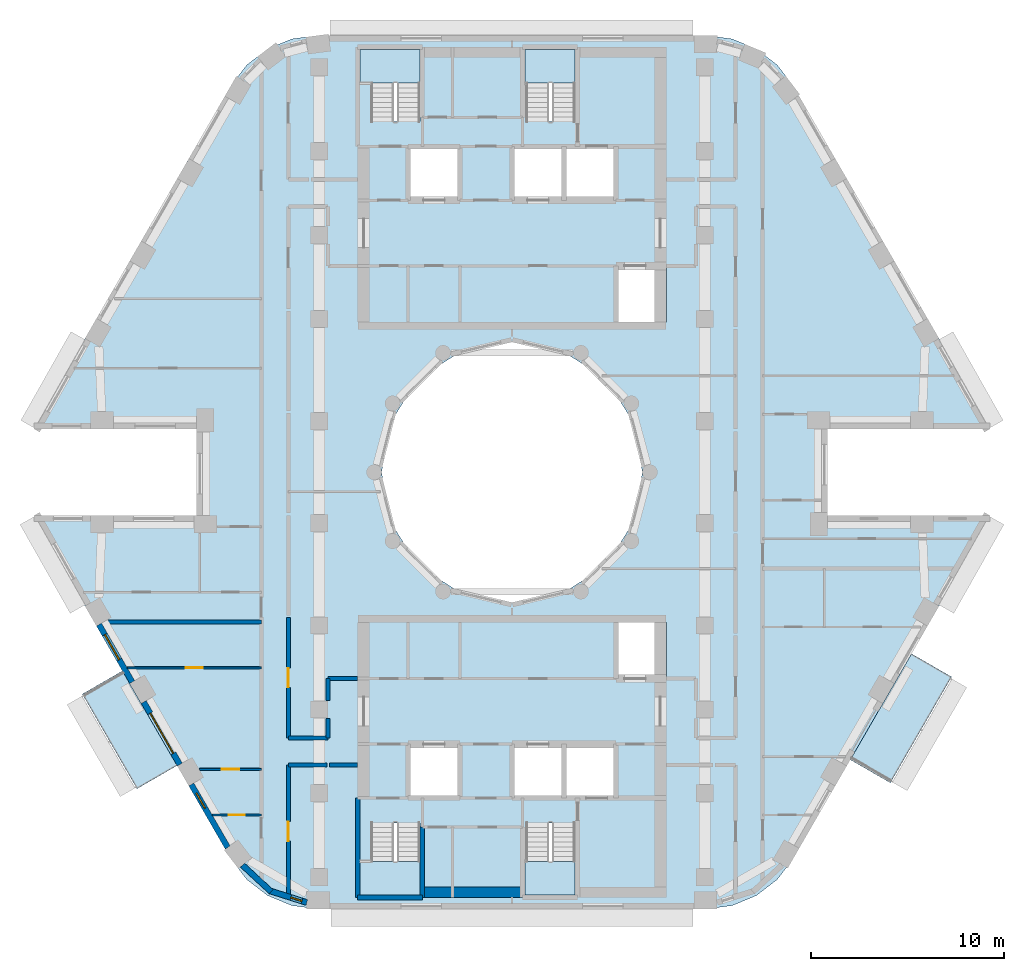
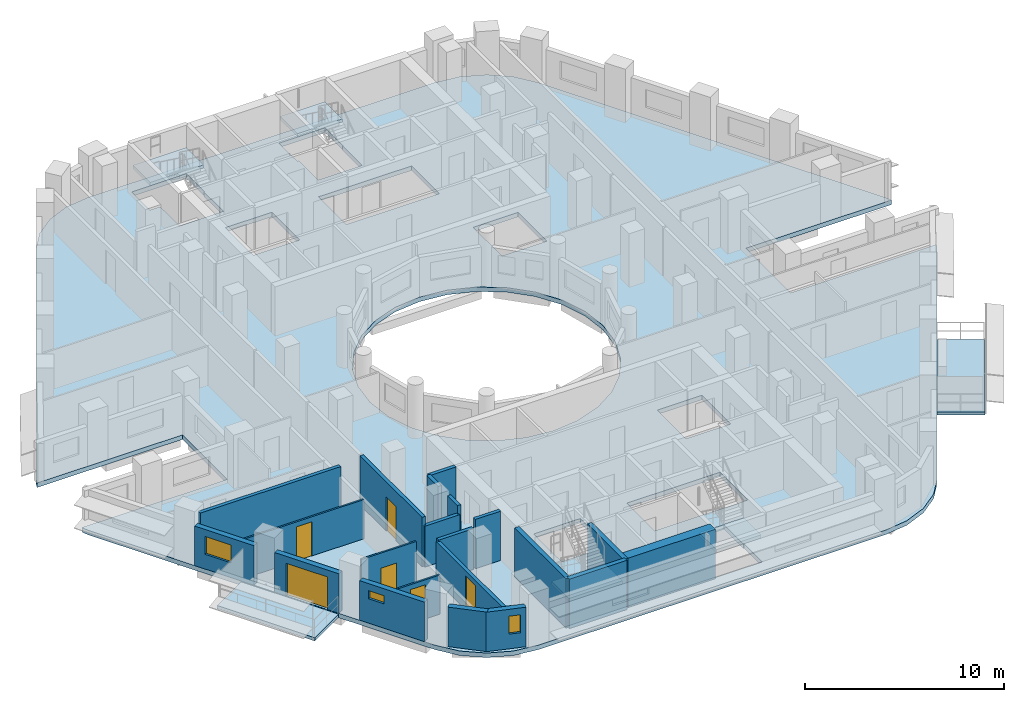
# One storey, part 2 of 15: 21 walls, 7 slabs, 6 doors, 3 windows, 9 openings, 4 elements without a shape of their own.
"""IFC4 building model written with IfcOpenShell, lengths in metres."""

from ifc_helpers import new_model, si_unit, direction, frame, frame_2d, origin, place, context, subcontext, project, spatial, polyline, rectangle, outline, extrude, material, layer, layer_set, type_object, element, fill, aggregate, save


model = new_model("IFC4")

# Units and contexts
model_context = context("Model", 3, precision=1e-05, world=origin(), true_north=direction((0.0, 1.0)))
body_context = subcontext(model_context, "Body", "Model", "MODEL_VIEW")
ifc_project = project(units=[si_unit("LENGTHUNIT", "METRE"), si_unit("AREAUNIT", "SQUARE_METRE"), si_unit("VOLUMEUNIT", "CUBIC_METRE"), si_unit("PLANEANGLEUNIT", "RADIAN"), si_unit("MASSUNIT", "GRAM", prefix="KILO")], contexts=[model_context])

# Site, building, storey
site_placement = place(None, origin())
site = spatial("IfcSite", under=ifc_project, at=site_placement, CompositionType="ELEMENT")
building_placement = place(site_placement, origin())
building = spatial("IfcBuilding", under=site, at=building_placement, Name="Nakaniwa Court", CompositionType="ELEMENT")
storey_placement = place(building_placement, frame((0.0, 0.0, 186.60009765625)))
storey = spatial("IfcBuildingStorey", under=building, at=storey_placement, Name="L48", CompositionType="ELEMENT", Elevation=186.60009765625)

# Slabs
ifc_material_1 = material(Name="Charcoal ceramic paver")
ifc_layer_1 = layer(ifc_material_1, 0.02, Name="Ceramic paver")
ifc_material_2 = material(Name="Cement sand screed")
ifc_layer_2 = layer(ifc_material_2, 0.03, Name="Falls screed")
ifc_material_3 = material(Name="Concrete C40/50", Category="concrete")
ifc_layer_3 = layer(ifc_material_3, 0.15, Name="Balcony slab")
ifc_layer_set_1 = layer_set([ifc_layer_1, ifc_layer_2, ifc_layer_3], Name="Concrete C40/50 balcony slab with ceramic paver finish")
slab_type_1 = type_object("IfcSlabType", Name="Balcony slab 200", PredefinedType="FLOOR", material=ifc_layer_set_1)
slab_1_placement = place(storey_placement, frame((0.0, 0.0, -0.25)))
element("IfcSlab", 1, at=slab_1_placement, inside=storey, type_object=slab_type_1, Name="L48 balcony 01", PredefinedType="FLOOR", context=body_context, shape_type="SweptSolid", body=[
    extrude(outline(polyline([(59.794677734375, 69.696533203125), (62.629150390625, 64.787353515625), (60.55078125, 63.58740234375), (57.71630859375, 68.49658203125), (59.794677734375, 69.696533203125)])), origin(), (0.0, 0.0, 1.0), 0.199951171875),
])
slab_2_placement = place(storey_placement, frame((0.0, 0.0, -0.25)))
element("IfcSlab", 2, at=slab_2_placement, inside=storey, type_object=slab_type_1, Name="L48 balcony 02", PredefinedType="FLOOR", context=body_context, shape_type="SweptSolid", body=[
    extrude(outline(polyline([(97.546142578125, 65.0908203125), (100.71923828125, 70.58642578125), (102.797607421875, 69.386474609375), (99.62451171875, 63.890625), (97.546142578125, 65.0908203125)])), origin(), (0.0, 0.0, 1.0), 0.199951171875),
])
ifc_material_4 = material(Name="Concrete C80/100", Category="concrete")
ifc_layer_4 = layer(ifc_material_4, 0.27490234375)
ifc_layer_set_2 = layer_set([ifc_layer_4], Name="Concrete C80/100")
slab_type_2 = type_object("IfcSlabType", Name="Concrete C80/100 post tensioned floor slab 275", PredefinedType="FLOOR", material=ifc_layer_set_2)
slab_3_placement = place(storey_placement, frame((0.0, 0.0, -0.275146484375)))
element("IfcSlab", 3, at=slab_3_placement, inside=storey, type_object=slab_type_2, Name="FLOOR SLAB", PredefinedType="FLOOR", context=body_context, shape_type="SweptSolid", body=[
    extrude(outline(polyline([(96.349609375, 82.25), (104.7978515625, 82.25), (104.65283203125, 82.60009765625), (94.578125, 100.050048828125), (93.751708984375, 101.126953125), (92.6748046875, 101.953369140625), (91.420654296875, 102.472900390625), (90.07470703125, 102.64990234375), (69.92529296875, 102.64990234375), (68.579345703125, 102.472900390625), (67.3251953125, 101.953369140625), (66.248291015625, 101.126953125), (65.421875, 100.050048828125), (55.34716796875, 82.60009765625), (55.2021484375, 82.25), (63.650390625, 82.25), (63.650390625, 77.75), (55.2021484375, 77.75), (55.34716796875, 77.39990234375), (65.421875, 59.949951171875), (66.248291015625, 58.873046875), (67.3251953125, 58.046630859375), (68.579345703125, 57.527099609375), (69.92529296875, 57.35009765625), (90.07470703125, 57.35009765625), (91.420654296875, 57.527099609375), (92.6748046875, 58.046630859375), (93.751708984375, 58.873046875), (94.578125, 59.949951171875), (104.65283203125, 77.39990234375), (104.7978515625, 77.75), (96.349609375, 77.75), (96.349609375, 82.25)]), holes=[polyline([(81.501953125, 86.580810546875), (80.0, 86.75), (78.498046875, 86.580810546875), (77.0712890625, 86.08154296875), (75.79150390625, 85.27734375), (74.72265625, 84.20849609375), (73.91845703125, 82.9287109375), (73.419189453125, 81.501953125), (73.25, 80.0), (73.419189453125, 78.498046875), (73.91845703125, 77.0712890625), (74.72265625, 75.79150390625), (75.79150390625, 74.72265625), (77.0712890625, 73.91845703125), (78.498046875, 73.419189453125), (80.0, 73.25), (81.501953125, 73.419189453125), (82.9287109375, 73.91845703125), (84.20849609375, 74.72265625), (85.27734375, 75.79150390625), (86.08154296875, 77.0712890625), (86.580810546875, 78.498046875), (86.75, 80.0), (86.580810546875, 81.501953125), (86.08154296875, 82.9287109375), (85.27734375, 84.20849609375), (84.20849609375, 85.27734375), (82.9287109375, 86.08154296875), (81.501953125, 86.580810546875)]), polyline([(72.675048828125, 61.81005859375), (72.675048828125, 59.864990234375), (72.0849609375, 59.864990234375), (72.0849609375, 58.034912109375), (75.264892578125, 58.034912109375), (75.264892578125, 59.864990234375), (75.22509765625, 59.864990234375), (75.22509765625, 61.81005859375), (72.675048828125, 61.81005859375)]), polyline([(77.300048828125, 65.89990234375), (74.60009765625, 65.89990234375), (74.60009765625, 63.10009765625), (77.300048828125, 63.10009765625), (77.300048828125, 65.89990234375)]), polyline([(80.0, 65.89990234375), (80.0, 63.10009765625), (82.699951171875, 63.10009765625), (85.39990234375, 63.10009765625), (85.39990234375, 65.89990234375), (82.699951171875, 65.89990234375), (80.0, 65.89990234375)]), polyline([(77.300048828125, 96.89990234375), (74.60009765625, 96.89990234375), (74.60009765625, 94.10009765625), (77.300048828125, 94.10009765625), (77.300048828125, 96.89990234375)]), polyline([(80.0, 96.89990234375), (80.0, 94.10009765625), (82.699951171875, 94.10009765625), (85.39990234375, 94.10009765625), (85.39990234375, 96.89990234375), (82.699951171875, 96.89990234375), (80.0, 96.89990234375)]), polyline([(75.264892578125, 100.135009765625), (75.264892578125, 101.965087890625), (72.0849609375, 101.965087890625), (72.0849609375, 100.135009765625), (72.675048828125, 100.135009765625), (72.675048828125, 98.18994140625), (75.22509765625, 98.18994140625), (75.22509765625, 100.135009765625), (75.264892578125, 100.135009765625)]), polyline([(83.27490234375, 61.81005859375), (80.72509765625, 61.81005859375), (80.72509765625, 59.864990234375), (80.635009765625, 59.864990234375), (80.635009765625, 58.034912109375), (83.31494140625, 58.034912109375), (83.31494140625, 59.864990234375), (83.27490234375, 59.864990234375), (83.27490234375, 61.81005859375)]), polyline([(88.0, 72.199951171875), (85.39990234375, 72.199951171875), (85.39990234375, 69.300048828125), (88.0, 69.300048828125), (88.0, 72.199951171875)]), polyline([(88.0, 90.699951171875), (85.39990234375, 90.699951171875), (85.39990234375, 87.800048828125), (88.0, 87.800048828125), (88.0, 90.699951171875)]), polyline([(83.31494140625, 100.135009765625), (83.31494140625, 101.965087890625), (80.635009765625, 101.965087890625), (80.635009765625, 100.135009765625), (80.72509765625, 100.135009765625), (80.72509765625, 98.18994140625), (83.27490234375, 98.18994140625), (83.27490234375, 100.135009765625), (83.31494140625, 100.135009765625)])]), origin(), (0.0, 0.0, 1.0), 0.275146484375),
])

# Stair, slab
stair_type = type_object("IfcStairType", Name="Dog leg stair 1200 wide 18 risers", PredefinedType="HALF_TURN_STAIR", material=ifc_material_4)
stair_1_placement = place(storey_placement, origin())
stair_1 = element("IfcStair", 4, at=stair_1_placement, inside=storey, type_object=stair_type, Name="L48 Stair ST1", PredefinedType="HALF_TURN_STAIR")
ifc_layer_5 = layer(ifc_material_4, 0.199951171875)
ifc_layer_set_3 = layer_set([ifc_layer_5], Name="Concrete C80/100")
slab_type_3 = type_object("IfcSlabType", Name="Stair landing concrete", PredefinedType="LANDING", material=ifc_layer_set_3)
slab_4_placement = place(storey_placement, frame((0.0, 0.0, 1.449951171875)))
slab_4 = element("IfcSlab", 5, at=slab_4_placement, type_object=slab_type_3, Name="ST1 landing 1", PredefinedType="LANDING", context=body_context, shape_type="SweptSolid", body=[
    extrude(outline(polyline([(75.22509765625, 100.175048828125), (75.22509765625, 101.925048828125), (72.125, 101.925048828125), (72.125, 100.175048828125), (75.22509765625, 100.175048828125)])), origin(), (0.0, 0.0, 1.0), 0.199951171875),
])
aggregate(stair_1, [slab_4])

stair_2_placement = place(storey_placement, origin())
stair_2 = element("IfcStair", 6, at=stair_2_placement, inside=storey, type_object=stair_type, Name="L48 Stair ST2", PredefinedType="HALF_TURN_STAIR")
slab_5_placement = place(storey_placement, frame((0.0, 0.0, 1.449951171875)))
slab_5 = element("IfcSlab", 7, at=slab_5_placement, type_object=slab_type_3, Name="ST2 landing 1", PredefinedType="LANDING", context=body_context, shape_type="SweptSolid", body=[
    extrude(outline(polyline([(83.27490234375, 100.175048828125), (83.27490234375, 101.925048828125), (80.675048828125, 101.925048828125), (80.675048828125, 100.175048828125), (83.27490234375, 100.175048828125)])), origin(), (0.0, 0.0, 1.0), 0.199951171875),
])
aggregate(stair_2, [slab_5])

stair_3_placement = place(storey_placement, origin())
stair_3 = element("IfcStair", 8, at=stair_3_placement, inside=storey, type_object=stair_type, Name="L48 Stair ST3", PredefinedType="HALF_TURN_STAIR")
slab_6_placement = place(storey_placement, frame((0.0, 0.0, 1.449951171875)))
slab_6 = element("IfcSlab", 9, at=slab_6_placement, type_object=slab_type_3, Name="ST3 landing 1", PredefinedType="LANDING", context=body_context, shape_type="SweptSolid", body=[
    extrude(outline(polyline([(75.22509765625, 58.074951171875), (75.22509765625, 59.824951171875), (72.125, 59.824951171875), (72.125, 58.074951171875), (75.22509765625, 58.074951171875)])), origin(), (0.0, 0.0, 1.0), 0.199951171875),
])
aggregate(stair_3, [slab_6])

stair_4_placement = place(storey_placement, origin())
stair_4 = element("IfcStair", 10, at=stair_4_placement, inside=storey, type_object=stair_type, Name="L48 Stair ST4", PredefinedType="HALF_TURN_STAIR")
slab_7_placement = place(storey_placement, frame((0.0, 0.0, 1.449951171875)))
slab_7 = element("IfcSlab", 11, at=slab_7_placement, type_object=slab_type_3, Name="ST4 landing 1", PredefinedType="LANDING", context=body_context, shape_type="SweptSolid", body=[
    extrude(outline(polyline([(83.27490234375, 58.074951171875), (83.27490234375, 59.824951171875), (80.675048828125, 59.824951171875), (80.675048828125, 58.074951171875), (83.27490234375, 58.074951171875)])), origin(), (0.0, 0.0, 1.0), 0.199951171875),
])
aggregate(stair_4, [slab_7])

# Walls
ifc_material_5 = material(Name="Acoustic double stud partition")
ifc_layer_6 = layer(ifc_material_5, 0.199951171875)
ifc_layer_set_4 = layer_set([ifc_layer_6], Name="Acoustic double stud partition")
wall_type_1 = type_object("IfcWallType", Name="Acoustic double stud partition 200", PredefinedType="PARTITIONING", material=ifc_layer_set_4)
wall_1_placement = place(storey_placement, frame((68.39990234375, 64.824951171875, 0.0), z_axis=(0.0, 0.0, 1.0), x_axis=(1.0, 0.0, 0.0)))
element("IfcWall", 12, at=wall_1_placement, inside=storey, type_object=wall_type_1, Name="Partition PW-074", PredefinedType="PARTITIONING", context=body_context, shape_type="SweptSolid", body=[
    extrude(rectangle(XDim=2.012939453125, YDim=0.199951171875, at=frame_2d((1.00634765625, 0.0))), origin(), (0.0, 0.0, 1.0), 2.5048828125),
])
wall_2_placement = place(storey_placement, frame((70.527099609375, 64.824951171875, 0.0), z_axis=(0.0, 0.0, 1.0), x_axis=(1.0, 0.0, 0.0)))
element("IfcWall", 13, at=wall_2_placement, inside=storey, type_object=wall_type_1, Name="Partition PW-075", PredefinedType="PARTITIONING", context=body_context, shape_type="SweptSolid", body=[
    extrude(rectangle(XDim=1.472900390625, YDim=0.199951171875, at=frame_2d((0.736328125, 0.0))), origin(), (0.0, 0.0, 1.0), 3.02490234375),
])
wall_3_placement = place(storey_placement, frame((70.449951171875, 69.300048828125, 0.0), z_axis=(0.0, 0.0, 1.0), x_axis=(1.0, 0.0, 0.0)))
element("IfcWall", 14, at=wall_3_placement, inside=storey, type_object=wall_type_1, Name="Partition PW-079", PredefinedType="PARTITIONING", context=body_context, shape_type="SweptSolid", body=[
    extrude(rectangle(XDim=1.550048828125, YDim=0.199951171875, at=frame_2d((0.77490234375, 0.0))), origin(), (0.0, 0.0, 1.0), 3.02490234375),
])
wall_4_placement = place(storey_placement, frame((68.39990234375, 66.22509765625, 0.0), z_axis=(0.0, 0.0, 1.0), x_axis=(1.0, 0.0, 0.0)))
element("IfcWall", 15, at=wall_4_placement, inside=storey, type_object=wall_type_1, Name="Partition PW-085", PredefinedType="PARTITIONING", context=body_context, shape_type="SweptSolid", body=[
    extrude(rectangle(XDim=2.050048828125, YDim=0.199951171875, at=frame_2d((1.02490234375, 0.0))), origin(), (0.0, 0.0, 1.0), 2.5048828125),
])

# Wall, opening, door
wall_5_placement = place(storey_placement, frame((68.39990234375, 64.824951171875, 0.0), z_axis=(0.0, 0.0, 1.0), x_axis=(0.0, -1.0, 0.0)))
wall_5 = element("IfcWall", 16, at=wall_5_placement, inside=storey, type_object=wall_type_1, Name="Partition PW-095", PredefinedType="PARTITIONING", context=body_context, shape_type="SweptSolid", body=[
    extrude(rectangle(XDim=6.898681640625, YDim=0.199951171875, at=frame_2d((3.44921875, 0.0))), origin(), (0.0, 0.0, 1.0), 2.40478515625),
])
opening_1_placement = place(wall_5_placement, frame((2.949951171875, 0.0, 0.0)))
opening_1 = element("IfcOpeningElement", 17, at=opening_1_placement, cuts=wall_5, Name="Opening D-02-05", PredefinedType="OPENING", context=body_context, shape_type="SweptSolid", body=[
    extrude(rectangle(XDim=1.0, YDim=2.10009765625, at=frame_2d((0.5, 1.050048828125))), frame((0.0, 0.10986328125, 0.0), z_axis=(0.0, -1.0, 0.0), x_axis=(1.0, 0.0, 0.0)), (0.0, 0.0, 1.0), 0.219970703125),
])
ifc_material_6 = material(Name="Solid core timber door set, black veneer", Category="wood")
door_type_1 = type_object("IfcDoorType", Name="Internal door 1000", OperationType="NOTDEFINED", PredefinedType="DOOR", material=ifc_material_6)
door_1_placement = place(opening_1_placement, origin())
door_1 = element("IfcDoor", 18, at=door_1_placement, inside=storey, type_object=door_type_1, Name="Door D-02-05 L48-036", OperationType="SINGLE_SWING_LEFT", OverallHeight=2.10009765625, OverallWidth=1.0, PredefinedType="DOOR", context=body_context, shape_type="SweptSolid", body=[
    extrude(rectangle(XDim=1.0, YDim=2.10009765625, at=frame_2d((0.5, 1.050048828125))), frame((0.0, 0.02490234375, 0.0), z_axis=(0.0, -1.0, 0.0), x_axis=(1.0, 0.0, 0.0)), (0.0, 0.0, 1.0), 0.050048828125),
])
fill(opening_1, door_1)

wall_6_placement = place(storey_placement, frame((68.39990234375, 72.462890625, 0.0), z_axis=(0.0, 0.0, 1.0), x_axis=(0.0, -1.0, 0.0)))
wall_6 = element("IfcWall", 19, at=wall_6_placement, inside=storey, type_object=wall_type_1, Name="Partition PW-096", PredefinedType="PARTITIONING", context=body_context, shape_type="SweptSolid", body=[
    extrude(rectangle(XDim=6.23779296875, YDim=0.199951171875, at=frame_2d((3.118896484375, 0.0))), origin(), (0.0, 0.0, 1.0), 3.02490234375),
])
opening_2_placement = place(wall_6_placement, frame((2.6201171875, 0.0, 0.0)))
opening_2 = element("IfcOpeningElement", 20, at=opening_2_placement, cuts=wall_6, Name="Opening D-02-06", PredefinedType="OPENING", context=body_context, shape_type="SweptSolid", body=[
    extrude(rectangle(XDim=1.0, YDim=2.10009765625, at=frame_2d((0.5, 1.050048828125))), frame((0.0, 0.10986328125, 0.0), z_axis=(0.0, -1.0, 0.0), x_axis=(1.0, 0.0, 0.0)), (0.0, 0.0, 1.0), 0.219970703125),
])
door_2_placement = place(opening_2_placement, origin())
door_2 = element("IfcDoor", 21, at=door_2_placement, inside=storey, type_object=door_type_1, Name="Door D-02-06 L48-041", OperationType="SINGLE_SWING_RIGHT", OverallHeight=2.10009765625, OverallWidth=1.0, PredefinedType="DOOR", context=body_context, shape_type="SweptSolid", body=[
    extrude(rectangle(XDim=1.0, YDim=2.10009765625, at=frame_2d((0.5, 1.050048828125))), frame((0.0, 0.02490234375, 0.0), z_axis=(0.0, -1.0, 0.0), x_axis=(1.0, 0.0, 0.0)), (0.0, 0.0, 1.0), 0.050048828125),
])
fill(opening_2, door_2)

# Walls
wall_7_placement = place(storey_placement, frame((70.449951171875, 66.22509765625, 0.0), z_axis=(0.0, 0.0, 1.0), x_axis=(0.0, 1.0, 0.0)))
element("IfcWall", 22, at=wall_7_placement, inside=storey, type_object=wall_type_1, Name="Partition PW-103", PredefinedType="PARTITIONING", context=body_context, shape_type="SweptSolid", body=[
    extrude(rectangle(XDim=1.0078125, YDim=0.199951171875, at=frame_2d((0.50390625, 0.0))), origin(), (0.0, 0.0, 1.0), 3.02490234375),
])
wall_8_placement = place(storey_placement, frame((70.449951171875, 68.167236328125, 0.0), z_axis=(0.0, 0.0, 1.0), x_axis=(0.0, 1.0, 0.0)))
element("IfcWall", 23, at=wall_8_placement, inside=storey, type_object=wall_type_1, Name="Partition PW-104", PredefinedType="PARTITIONING", context=body_context, shape_type="SweptSolid", body=[
    extrude(rectangle(XDim=1.1328125, YDim=0.199951171875, at=frame_2d((0.56640625, 0.0))), origin(), (0.0, 0.0, 1.0), 3.02490234375),
])
wall_9_placement = place(storey_placement, frame((58.8408203125, 72.22509765625, 0.0), z_axis=(0.0, 0.0, 1.0), x_axis=(1.0, 0.0, 0.0)))
element("IfcWall", 24, at=wall_9_placement, inside=storey, type_object=wall_type_1, Name="Partition PW-125", PredefinedType="PARTITIONING", context=body_context, shape_type="SweptSolid", body=[
    extrude(rectangle(XDim=8.158203125, YDim=0.199951171875, at=frame_2d((4.0791015625, 0.0))), origin(), (0.0, 0.0, 1.0), 3.02490234375),
])

# Wall, opening, window
ifc_material_7 = material(Name="Charcoal ceramic cladding")
ifc_layer_7 = layer(ifc_material_7, 0.02, Name="Ceramic cladding")
ifc_material_8 = material(Name="Ventilated air cavity")
ifc_layer_8 = layer(ifc_material_8, 0.04, ventilated=True, Name="Ventilated cavity")
ifc_material_9 = material(Name="Mineral wool insulation")
ifc_layer_9 = layer(ifc_material_9, 0.1, Name="Insulation")
ifc_material_10 = material(Name="Cement bonded sheathing board")
ifc_layer_10 = layer(ifc_material_10, 0.012, Name="Sheathing")
ifc_material_11 = material(Name="Cold-formed galvanised stud frame with mineral wool infill")
ifc_layer_11 = layer(ifc_material_11, 0.1, Name="Stud frame")
ifc_material_12 = material(Name="Fire-rated gypsum plasterboard lining")
ifc_layer_12 = layer(ifc_material_12, 0.028, Name="Lining")
ifc_layer_set_5 = layer_set([ifc_layer_7, ifc_layer_8, ifc_layer_9, ifc_layer_10, ifc_layer_11, ifc_layer_12], Name="Charcoal ceramic faced external wall system")
wall_type_2 = type_object("IfcWallType", Name="Black ceramic faced external wall 300", PredefinedType="SOLIDWALL", material=ifc_layer_set_5)
wall_10_placement = place(storey_placement, frame((58.579345703125, 72.101806640625, 0.0), z_axis=(0.0, 0.0, 1.0), x_axis=(0.499955427682, -0.866051136095, 0.0)))
wall_10 = element("IfcWall", 25, at=wall_10_placement, inside=storey, type_object=wall_type_2, Name="L48 external wall 21", PredefinedType="SOLIDWALL", context=body_context, shape_type="SweptSolid", body=[
    extrude(rectangle(XDim=3.447021484375, YDim=0.300048828125, at=frame_2d((1.7236328125, 0.0))), origin(), (0.0, 0.0, 1.0), 2.4248046875),
])
opening_3_placement = place(wall_10_placement, frame((0.607421875, 0.0, 0.89990234375)))
opening_3 = element("IfcOpeningElement", 26, at=opening_3_placement, cuts=wall_10, Name="Opening W5.24", PredefinedType="OPENING", context=body_context, shape_type="SweptSolid", body=[
    extrude(rectangle(XDim=1.5, YDim=1.10009765625, at=frame_2d((0.75, 0.550048828125))), frame((0.0, 0.159912109375, 0.0), z_axis=(0.0, -1.0, 0.0), x_axis=(1.0, 0.0, 0.0)), (0.0, 0.0, 1.0), 0.320068359375),
])
ifc_material_13 = material(Name="Black anodised aluminium frame with dark low-E laminated double glazing", Category="aluminium")
window_type_1 = type_object("IfcWindowType", Name="Dark glass window 1500x1100 sill 900", PartitioningType="SINGLE_PANEL", PredefinedType="WINDOW", material=ifc_material_13)
window_1_placement = place(opening_3_placement, origin())
window_1 = element("IfcWindow", 27, at=window_1_placement, inside=storey, type_object=window_type_1, Name="L48 habitable room window 21-1", OverallHeight=1.10009765625, OverallWidth=1.5, PartitioningType="SINGLE_PANEL", PredefinedType="WINDOW", context=body_context, shape_type="SweptSolid", body=[
    extrude(rectangle(XDim=1.5, YDim=1.10009765625, at=frame_2d((0.75, 0.550048828125))), frame((0.0, 0.030029296875, 0.0), z_axis=(0.0, -1.0, 0.0), x_axis=(1.0, 0.0, 0.0)), (0.0, 0.0, 1.0), 0.06005859375),
])
fill(opening_3, window_1)

# Wall, opening, door
wall_11_placement = place(storey_placement, frame((60.898681640625, 68.083984375, 0.0), z_axis=(0.0, 0.0, 1.0), x_axis=(0.500059225181, -0.86599120741, 0.0)))
wall_11 = element("IfcWall", 28, at=wall_11_placement, inside=storey, type_object=wall_type_2, Name="L48 external wall 22", PredefinedType="SOLIDWALL", context=body_context, shape_type="SweptSolid", body=[
    extrude(rectangle(XDim=3.744140625, YDim=0.300048828125, at=frame_2d((1.8720703125, 0.0))), origin(), (0.0, 0.0, 1.0), 2.4248046875),
])
opening_4_placement = place(wall_11_placement, frame((0.672119140625, 0.0, 0.0)))
opening_4 = element("IfcOpeningElement", 29, at=opening_4_placement, cuts=wall_11, Name="Opening XD13.01", PredefinedType="OPENING", context=body_context, shape_type="SweptSolid", body=[
    extrude(rectangle(XDim=2.39990234375, YDim=2.0, at=frame_2d((1.199951171875, 1.0))), frame((0.0, 0.159912109375, 0.0), z_axis=(0.0, -1.0, 0.0), x_axis=(1.0, 0.0, 0.0)), (0.0, 0.0, 1.0), 0.320068359375),
])
ifc_material_14 = material(Name="Black powder-coated aluminium frame with dark laminated glass", Category="aluminium")
door_type_2 = type_object("IfcDoorType", Name="Balcony sliding door 2400x2000", OperationType="DOUBLE_DOOR_SLIDING", PredefinedType="DOOR", material=ifc_material_14)
door_3_placement = place(opening_4_placement, origin())
door_3 = element("IfcDoor", 30, at=door_3_placement, inside=storey, type_object=door_type_2, Name="L48 balcony sliding door 01", OperationType="DOUBLE_DOOR_SLIDING", OverallHeight=2.0, OverallWidth=2.39990234375, PredefinedType="DOOR", context=body_context, shape_type="SweptSolid", body=[
    extrude(rectangle(XDim=2.39990234375, YDim=2.0, at=frame_2d((1.199951171875, 1.0))), frame((0.0, 0.02490234375, 0.0), z_axis=(0.0, -1.0, 0.0), x_axis=(1.0, 0.0, 0.0)), (0.0, 0.0, 1.0), 0.050048828125),
])
fill(opening_4, door_3)

# Wall, opening, window
wall_12_placement = place(storey_placement, frame((63.366943359375, 63.809326171875, 0.0), z_axis=(0.0, 0.0, 1.0), x_axis=(0.499961087031, -0.866047869032, 0.0)))
wall_12 = element("IfcWall", 31, at=wall_12_placement, inside=storey, type_object=wall_type_2, Name="L48 external wall 23", PredefinedType="SOLIDWALL", context=body_context, shape_type="SweptSolid", body=[
    extrude(rectangle(XDim=3.778564453125, YDim=0.300048828125, at=frame_2d((1.88916015625, 0.0))), origin(), (0.0, 0.0, 1.0), 2.4248046875),
])
opening_5_placement = place(wall_12_placement, frame((0.525634765625, 0.0, 1.5)))
opening_5 = element("IfcOpeningElement", 32, at=opening_5_placement, cuts=wall_12, Name="Opening W10.25", PredefinedType="OPENING", context=body_context, shape_type="SweptSolid", body=[
    extrude(rectangle(XDim=0.89990234375, YDim=0.5, at=frame_2d((0.449951171875, 0.25))), frame((0.0, 0.159912109375, 0.0), z_axis=(0.0, -1.0, 0.0), x_axis=(1.0, 0.0, 0.0)), (0.0, 0.0, 1.0), 0.320068359375),
])
window_type_2 = type_object("IfcWindowType", Name="Dark glass window 900x500 sill 1500", PartitioningType="SINGLE_PANEL", PredefinedType="WINDOW", material=ifc_material_13)
window_2_placement = place(opening_5_placement, origin())
window_2 = element("IfcWindow", 33, at=window_2_placement, inside=storey, type_object=window_type_2, Name="L48 bathroom window 23-0", OverallHeight=0.5, OverallWidth=0.89990234375, PartitioningType="SINGLE_PANEL", PredefinedType="WINDOW", context=body_context, shape_type="SweptSolid", body=[
    extrude(rectangle(XDim=0.89990234375, YDim=0.5, at=frame_2d((0.449951171875, 0.25))), frame((0.0, 0.030029296875, 0.0), z_axis=(0.0, -1.0, 0.0), x_axis=(1.0, 0.0, 0.0)), (0.0, 0.0, 1.0), 0.06005859375),
])
fill(opening_5, window_2)

# Wall
wall_13_placement = place(storey_placement, frame((66.0224609375, 59.622314453125, 0.0), z_axis=(0.0, 0.0, 1.0), x_axis=(0.734627852992, -0.678470277616, 0.0)))
element("IfcWall", 34, at=wall_13_placement, inside=storey, type_object=wall_type_2, Name="L48 external wall 24", PredefinedType="SOLIDWALL", context=body_context, shape_type="SweptSolid", body=[
    extrude(rectangle(XDim=2.02587890625, YDim=0.300048828125, at=frame_2d((1.012939453125, 0.0))), origin(), (0.0, 0.0, 1.0), 2.4248046875),
])

# Wall, opening, window
wall_14_placement = place(storey_placement, frame((67.40576171875, 58.3017578125, 0.0), z_axis=(0.0, 0.0, 1.0), x_axis=(0.953537608367, -0.301274010545, 0.0)))
wall_14 = element("IfcWall", 35, at=wall_14_placement, inside=storey, type_object=wall_type_2, Name="L48 external wall 25", PredefinedType="SOLIDWALL", context=body_context, shape_type="SweptSolid", body=[
    extrude(rectangle(XDim=2.0478515625, YDim=0.300048828125, at=frame_2d((1.02392578125, 0.0))), origin(), (0.0, 0.0, 1.0), 2.4248046875),
])
opening_6_placement = place(wall_14_placement, frame((1.1796875, 0.0, 0.89990234375)))
opening_6 = element("IfcOpeningElement", 36, at=opening_6_placement, cuts=wall_14, Name="Opening W8.26", PredefinedType="OPENING", context=body_context, shape_type="SweptSolid", body=[
    extrude(rectangle(XDim=0.60009765625, YDim=1.10009765625, at=frame_2d((0.300048828125, 0.550048828125))), frame((0.0, 0.159912109375, 0.0), z_axis=(0.0, -1.0, 0.0), x_axis=(1.0, 0.0, 0.0)), (0.0, 0.0, 1.0), 0.320068359375),
])
window_type_3 = type_object("IfcWindowType", Name="Dark glass window 600x1100 sill 900", PartitioningType="SINGLE_PANEL", PredefinedType="WINDOW", material=ifc_material_13)
window_3_placement = place(opening_6_placement, origin())
window_3 = element("IfcWindow", 37, at=window_3_placement, inside=storey, type_object=window_type_3, Name="L48 habitable room window 25-1", OverallHeight=1.10009765625, OverallWidth=0.60009765625, PartitioningType="SINGLE_PANEL", PredefinedType="WINDOW", context=body_context, shape_type="SweptSolid", body=[
    extrude(rectangle(XDim=0.60009765625, YDim=1.10009765625, at=frame_2d((0.300048828125, 0.550048828125))), frame((0.0, 0.030029296875, 0.0), z_axis=(0.0, -1.0, 0.0), x_axis=(1.0, 0.0, 0.0)), (0.0, 0.0, 1.0), 0.06005859375),
])
fill(opening_6, window_3)

# Walls
ifc_layer_13 = layer(ifc_material_4, 0.25)
ifc_layer_set_6 = layer_set([ifc_layer_13], Name="Concrete C80/100")
wall_type_3 = type_object("IfcWallType", Name="Concrete core wall 250 C80", PredefinedType="SHEAR", material=ifc_layer_set_6)
wall_15_placement = place(storey_placement, frame((72.0, 57.949951171875, -0.275146484375), z_axis=(0.0, 0.0, 1.0), x_axis=(0.0, 1.0, 0.0)))
element("IfcWall", 38, at=wall_15_placement, inside=storey, type_object=wall_type_3, Name="Core wall SW-57", PredefinedType="SHEAR", context=body_context, shape_type="SweptSolid", body=[
    extrude(rectangle(XDim=5.150146484375, YDim=0.25, at=frame_2d((2.5751953125, 0.0))), origin(), (0.0, 0.0, 1.0), 3.300048828125),
])
wall_16_placement = place(storey_placement, frame((72.0, 57.949951171875, -0.275146484375), z_axis=(0.0, 0.0, 1.0), x_axis=(1.0, 0.0, 0.0)))
element("IfcWall", 39, at=wall_16_placement, inside=storey, type_object=wall_type_3, Name="Core wall SW-58", PredefinedType="SHEAR", context=body_context, shape_type="SweptSolid", body=[
    extrude(rectangle(XDim=3.35009765625, YDim=0.25, at=frame_2d((1.675048828125, 0.0))), origin(), (0.0, 0.0, 1.0), 3.300048828125),
])
ifc_layer_14 = layer(ifc_material_4, 0.550048828125)
ifc_layer_set_7 = layer_set([ifc_layer_14], Name="Concrete C80/100")
wall_type_4 = type_object("IfcWallType", Name="Concrete core wall 550 C80", PredefinedType="SHEAR", material=ifc_layer_set_7)
wall_17_placement = place(storey_placement, frame((75.35009765625, 58.22509765625, -0.275146484375), z_axis=(0.0, 0.0, 1.0), x_axis=(1.0, 0.0, 0.0)))
element("IfcWall", 40, at=wall_17_placement, inside=storey, type_object=wall_type_4, Name="Core wall SW-63", PredefinedType="SHEAR", context=body_context, shape_type="SweptSolid", body=[
    extrude(rectangle(XDim=5.199951171875, YDim=0.550048828125, at=frame_2d((2.60009765625, 0.0))), origin(), (0.0, 0.0, 1.0), 3.300048828125),
])
ifc_layer_15 = layer(ifc_material_4, 0.25)
ifc_layer_set_8 = layer_set([ifc_layer_15], Name="Concrete C80/100")
wall_type_5 = type_object("IfcWallType", Name="Concrete shaft wall 250 C80", PredefinedType="SHEAR", material=ifc_layer_set_8)
wall_18_placement = place(storey_placement, frame((75.35009765625, 57.949951171875, -0.275146484375), z_axis=(0.0, 0.0, 1.0), x_axis=(0.0, 1.0, 0.0)))
element("IfcWall", 41, at=wall_18_placement, inside=storey, type_object=wall_type_5, Name="Core wall SW-56", PredefinedType="SHEAR", context=body_context, shape_type="SweptSolid", body=[
    extrude(rectangle(XDim=3.653076171875, YDim=0.25, at=frame_2d((1.82666015625, 0.0))), origin(), (0.0, 0.0, 1.0), 3.300048828125),
])

# Wall, opening, door
ifc_material_15 = material(Name="Single stud plasterboard partition")
ifc_layer_16 = layer(ifc_material_15, 0.10009765625)
ifc_layer_set_9 = layer_set([ifc_layer_16], Name="Single stud plasterboard partition")
wall_type_6 = type_object("IfcWallType", Name="Single stud plasterboard partition 100", PredefinedType="PARTITIONING", material=ifc_layer_set_9)
wall_19_placement = place(storey_placement, frame((64.454833984375, 62.22509765625, 0.0), z_axis=(0.0, 0.0, 1.0), x_axis=(1.0, 0.0, 0.0)))
wall_19 = element("IfcWall", 42, at=wall_19_placement, inside=storey, type_object=wall_type_6, Name="Partition PW-111", PredefinedType="PARTITIONING", context=body_context, shape_type="SweptSolid", body=[
    extrude(rectangle(XDim=2.544189453125, YDim=0.10009765625, at=frame_2d((1.27197265625, 0.0))), origin(), (0.0, 0.0, 1.0), 2.40478515625),
])
opening_7_placement = place(wall_19_placement, frame((0.846923828125, 0.0, 0.0)))
opening_7 = element("IfcOpeningElement", 43, at=opening_7_placement, cuts=wall_19, Name="Opening D-03-03", PredefinedType="OPENING", context=body_context, shape_type="SweptSolid", body=[
    extrude(rectangle(XDim=0.85009765625, YDim=2.10009765625, at=frame_2d((0.425048828125, 1.050048828125))), frame((0.0, 0.06005859375, 0.0), z_axis=(0.0, -1.0, 0.0), x_axis=(1.0, 0.0, 0.0)), (0.0, 0.0, 1.0), 0.1201171875),
])
ifc_material_16 = material(Name="Moisture sealed timber door set", Category="wood")
door_type_3 = type_object("IfcDoorType", Name="Bathroom door 850", OperationType="NOTDEFINED", PredefinedType="DOOR", material=ifc_material_16)
door_4_placement = place(opening_7_placement, origin())
door_4 = element("IfcDoor", 44, at=door_4_placement, inside=storey, type_object=door_type_3, Name="Door D-03-03 L48-038", OperationType="SINGLE_SWING_LEFT", OverallHeight=2.10009765625, OverallWidth=0.85009765625, PredefinedType="DOOR", context=body_context, shape_type="SweptSolid", body=[
    extrude(rectangle(XDim=0.85009765625, YDim=2.10009765625, at=frame_2d((0.425048828125, 1.050048828125))), frame((0.0, 0.02490234375, 0.0), z_axis=(0.0, -1.0, 0.0), x_axis=(1.0, 0.0, 0.0)), (0.0, 0.0, 1.0), 0.050048828125),
])
fill(opening_7, door_4)

wall_20_placement = place(storey_placement, frame((63.80322265625, 64.593994140625, 0.0), z_axis=(0.0, 0.0, 1.0), x_axis=(1.0, 0.0, 0.0)))
wall_20 = element("IfcWall", 45, at=wall_20_placement, inside=storey, type_object=wall_type_6, Name="Partition PW-123", PredefinedType="PARTITIONING", context=body_context, shape_type="SweptSolid", body=[
    extrude(rectangle(XDim=3.19580078125, YDim=0.10009765625, at=frame_2d((1.597900390625, 0.0))), origin(), (0.0, 0.0, 1.0), 3.02490234375),
])
opening_8_placement = place(wall_20_placement, frame((1.14794921875, 0.0, 0.0)))
opening_8 = element("IfcOpeningElement", 46, at=opening_8_placement, cuts=wall_20, Name="Opening D-33-06", PredefinedType="OPENING", context=body_context, shape_type="SweptSolid", body=[
    extrude(rectangle(XDim=0.89990234375, YDim=2.10009765625, at=frame_2d((0.449951171875, 1.050048828125))), frame((0.0, 0.06005859375, 0.0), z_axis=(0.0, -1.0, 0.0), x_axis=(1.0, 0.0, 0.0)), (0.0, 0.0, 1.0), 0.1201171875),
])
door_type_4 = type_object("IfcDoorType", Name="Internal door 900", OperationType="NOTDEFINED", PredefinedType="DOOR", material=ifc_material_6)
door_5_placement = place(opening_8_placement, origin())
door_5 = element("IfcDoor", 47, at=door_5_placement, inside=storey, type_object=door_type_4, Name="Door D-33-06 L48-039", OperationType="SINGLE_SWING_RIGHT", OverallHeight=2.10009765625, OverallWidth=0.89990234375, PredefinedType="DOOR", context=body_context, shape_type="SweptSolid", body=[
    extrude(rectangle(XDim=0.89990234375, YDim=2.10009765625, at=frame_2d((0.449951171875, 1.050048828125))), frame((0.0, 0.02490234375, 0.0), z_axis=(0.0, -1.0, 0.0), x_axis=(1.0, 0.0, 0.0)), (0.0, 0.0, 1.0), 0.050048828125),
])
fill(opening_8, door_5)

wall_21_placement = place(storey_placement, frame((60.048583984375, 69.85693359375, 0.0), z_axis=(0.0, 0.0, 1.0), x_axis=(1.0, 0.0, 0.0)))
wall_21 = element("IfcWall", 48, at=wall_21_placement, inside=storey, type_object=wall_type_6, Name="Partition PW-124", PredefinedType="PARTITIONING", context=body_context, shape_type="SweptSolid", body=[
    extrude(rectangle(XDim=6.950439453125, YDim=0.10009765625, at=frame_2d((3.47509765625, 0.0))), origin(), (0.0, 0.0, 1.0), 2.40478515625),
])
opening_9_placement = place(wall_21_placement, frame((3.02490234375, 0.0, 0.0)))
opening_9 = element("IfcOpeningElement", 49, at=opening_9_placement, cuts=wall_21, Name="Opening D-33-07", PredefinedType="OPENING", context=body_context, shape_type="SweptSolid", body=[
    extrude(rectangle(XDim=0.89990234375, YDim=2.10009765625, at=frame_2d((0.449951171875, 1.050048828125))), frame((0.0, 0.06005859375, 0.0), z_axis=(0.0, -1.0, 0.0), x_axis=(1.0, 0.0, 0.0)), (0.0, 0.0, 1.0), 0.1201171875),
])
door_6_placement = place(opening_9_placement, origin())
door_6 = element("IfcDoor", 50, at=door_6_placement, inside=storey, type_object=door_type_4, Name="Door D-33-07 L48-040", OperationType="SINGLE_SWING_LEFT", OverallHeight=2.10009765625, OverallWidth=0.89990234375, PredefinedType="DOOR", context=body_context, shape_type="SweptSolid", body=[
    extrude(rectangle(XDim=0.89990234375, YDim=2.10009765625, at=frame_2d((0.449951171875, 1.050048828125))), frame((0.0, 0.02490234375, 0.0), z_axis=(0.0, -1.0, 0.0), x_axis=(1.0, 0.0, 0.0)), (0.0, 0.0, 1.0), 0.050048828125),
])
fill(opening_9, door_6)

save(model, "model.ifc")
